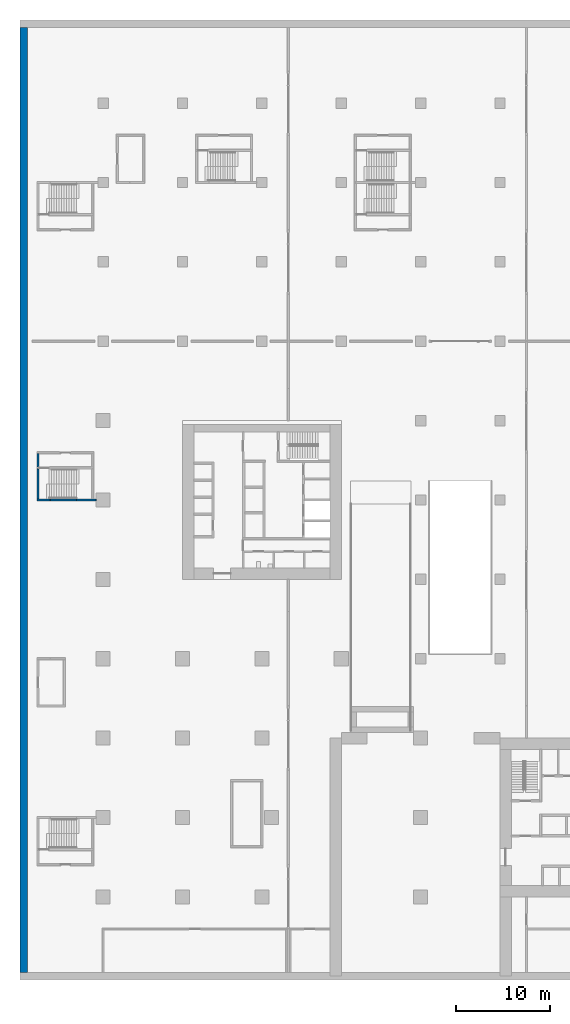
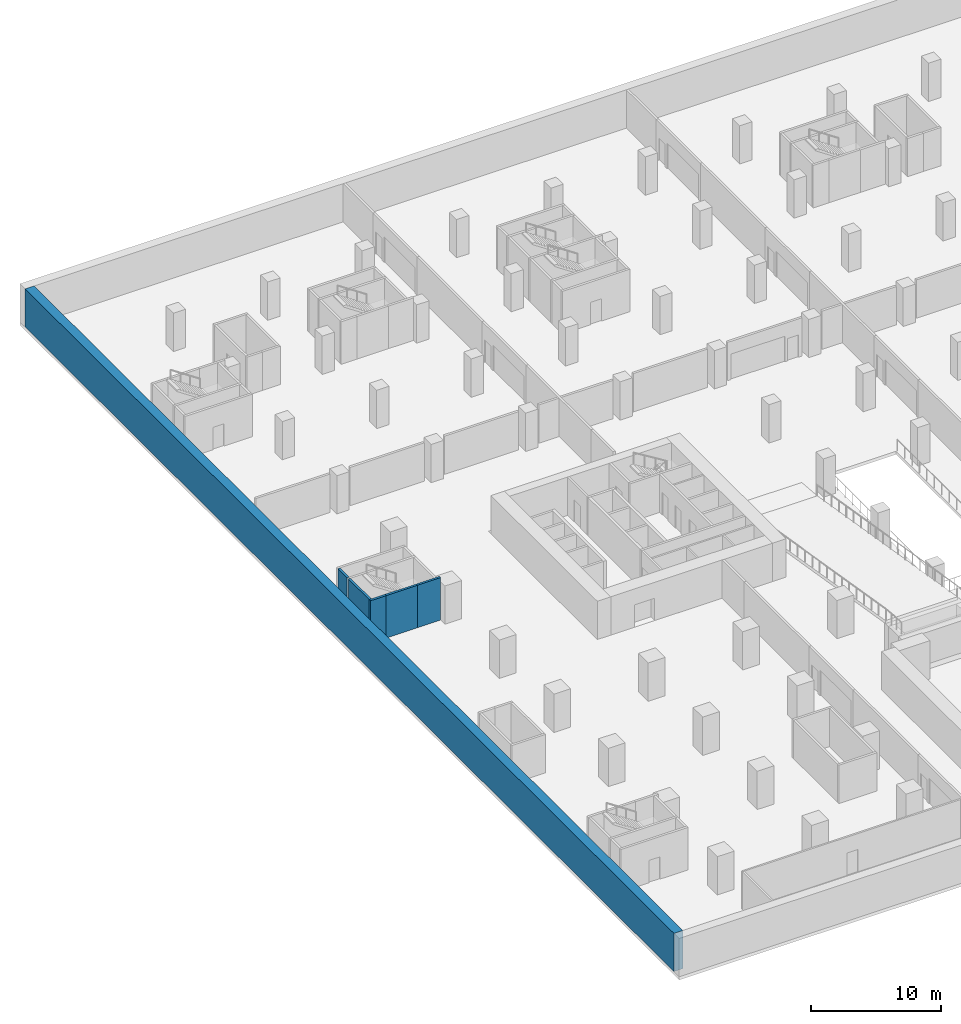
# One storey, part 5 of 18: 6 walls.
"""IFC4 building model written with IfcOpenShell, lengths in metres."""

from ifc_helpers import new_model, si_unit, direction, frame, frame_2d, origin, place, context, subcontext, project, spatial, rectangle, extrude, material, layer, layer_set, type_object, element, save


model = new_model("IFC4")

# Units and contexts
model_context = context("Model", 3, precision=1e-05, world=origin(), true_north=direction((0.0, 1.0)))
body_context = subcontext(model_context, "Body", "Model", "MODEL_VIEW")
ifc_project = project(units=[si_unit("LENGTHUNIT", "METRE"), si_unit("AREAUNIT", "SQUARE_METRE"), si_unit("VOLUMEUNIT", "CUBIC_METRE"), si_unit("PLANEANGLEUNIT", "RADIAN"), si_unit("MASSUNIT", "GRAM", prefix="KILO")], contexts=[model_context])

# Site, building, storey
site_placement = place(None, origin())
site = spatial("IfcSite", under=ifc_project, at=site_placement, CompositionType="ELEMENT")
building_placement = place(site_placement, origin())
building = spatial("IfcBuilding", under=site, at=building_placement, Name="Vermilion Gate Residences", CompositionType="ELEMENT")
storey_placement = place(building_placement, frame((0.0, 0.0, -4.0)))
storey = spatial("IfcBuildingStorey", under=building, at=storey_placement, Name="B1", CompositionType="ELEMENT", Elevation=-4.0)

# Walls
ifc_material_1 = material(Name="Concrete C40", Category="concrete")
ifc_layer_1 = layer(ifc_material_1, 0.800048828125)
ifc_layer_set_1 = layer_set([ifc_layer_1], Name="RC DIAPHRAGM WALL 800 C40")
wall_type_1 = type_object("IfcWallType", Name="RC DIAPHRAGM WALL 800 C40", PredefinedType="SOLIDWALL", material=ifc_layer_set_1)
wall_1_placement = place(storey_placement, frame((-8.39990234375, 0.39990234375, 0.0), z_axis=(0.0, 0.0, 1.0), x_axis=(0.0, 1.0, 0.0)))
element("IfcWall", 1, at=wall_1_placement, inside=storey, type_object=wall_type_1, Name="Diaphragm wall B1 6", PredefinedType="SOLIDWALL", context=body_context, shape_type="SweptSolid", body=[
    extrude(rectangle(XDim=100.0, YDim=0.800048828125, at=frame_2d((50.0, 0.0))), origin(), (0.0, 0.0, 1.0), 3.60009765625),
])
ifc_material_2 = material(Name="Concrete C40", Category="concrete")
ifc_layer_2 = layer(ifc_material_2, 0.199951171875)
ifc_layer_set_2 = layer_set([ifc_layer_2], Name="RC STAIR AND SHAFT WALL 200 EI 180 C40 (AMENITY)")
wall_type_2 = type_object("IfcWallType", Name="RC STAIR AND SHAFT WALL 200 EI 180 C40 (AMENITY)", PredefinedType="SOLIDWALL", material=ifc_layer_set_2)
wall_2_placement = place(storey_placement, frame((-6.89990234375, 50.5, 0.0), z_axis=(0.0, 0.0, 1.0), x_axis=(0.0, 1.0, 0.0)))
element("IfcWall", 2, at=wall_2_placement, inside=storey, type_object=wall_type_2, Name="Stair and shaft wall 9", PredefinedType="SOLIDWALL", context=body_context, shape_type="SweptSolid", body=[
    extrude(rectangle(XDim=3.199951171875, YDim=0.199951171875, at=frame_2d((1.60009765625, 0.0))), origin(), (0.0, 0.0, 1.0), 4.0),
])
wall_3_placement = place(storey_placement, frame((-7.0, 50.39990234375, 0.0), z_axis=(0.0, 0.0, 1.0), x_axis=(1.0, 0.0, 0.0)))
element("IfcWall", 3, at=wall_3_placement, inside=storey, type_object=wall_type_2, Name="Stair and shaft wall 10", PredefinedType="SOLIDWALL", context=body_context, shape_type="SweptSolid", body=[
    extrude(rectangle(XDim=1.39990234375, YDim=0.199951171875, at=frame_2d((0.699951171875, 0.0))), origin(), (0.0, 0.0, 1.0), 4.0),
])
wall_4_placement = place(storey_placement, frame((-6.89990234375, 53.89990234375, 0.0), z_axis=(0.0, 0.0, 1.0), x_axis=(0.0, 1.0, 0.0)))
element("IfcWall", 4, at=wall_4_placement, inside=storey, type_object=wall_type_2, Name="Stair and shaft wall 11", PredefinedType="SOLIDWALL", context=body_context, shape_type="SweptSolid", body=[
    extrude(rectangle(XDim=1.400146484375, YDim=0.199951171875, at=frame_2d((0.7001953125, 0.0))), origin(), (0.0, 0.0, 1.0), 4.0),
])
wall_5_placement = place(storey_placement, frame((-5.60009765625, 50.39990234375, 0.0), z_axis=(0.0, 0.0, 1.0), x_axis=(1.0, 0.0, 0.0)))
element("IfcWall", 5, at=wall_5_placement, inside=storey, type_object=wall_type_2, Name="Stair and shaft wall 21", PredefinedType="SOLIDWALL", context=body_context, shape_type="SweptSolid", body=[
    extrude(rectangle(XDim=2.800048828125, YDim=0.199951171875, at=frame_2d((1.39990234375, 0.0))), origin(), (0.0, 0.0, 1.0), 4.0),
])
wall_6_placement = place(storey_placement, frame((-2.800048828125, 50.39990234375, 0.0), z_axis=(0.0, 0.0, 1.0), x_axis=(1.0, 0.0, 0.0)))
element("IfcWall", 6, at=wall_6_placement, inside=storey, type_object=wall_type_2, Name="Stair and shaft wall 25", PredefinedType="SOLIDWALL", context=body_context, shape_type="SweptSolid", body=[
    extrude(rectangle(XDim=2.050048828125, YDim=0.199951171875, at=frame_2d((1.02490234375, 0.0))), origin(), (0.0, 0.0, 1.0), 4.0),
])

save(model, "model.ifc")
